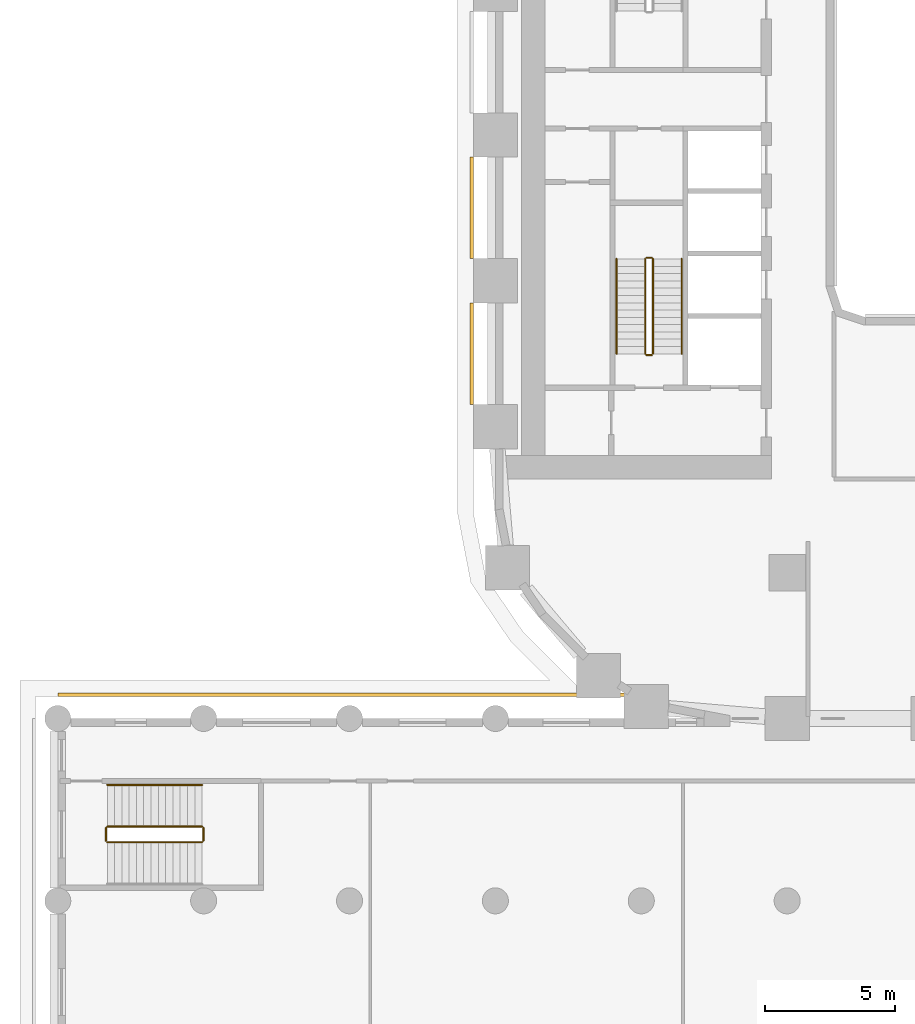
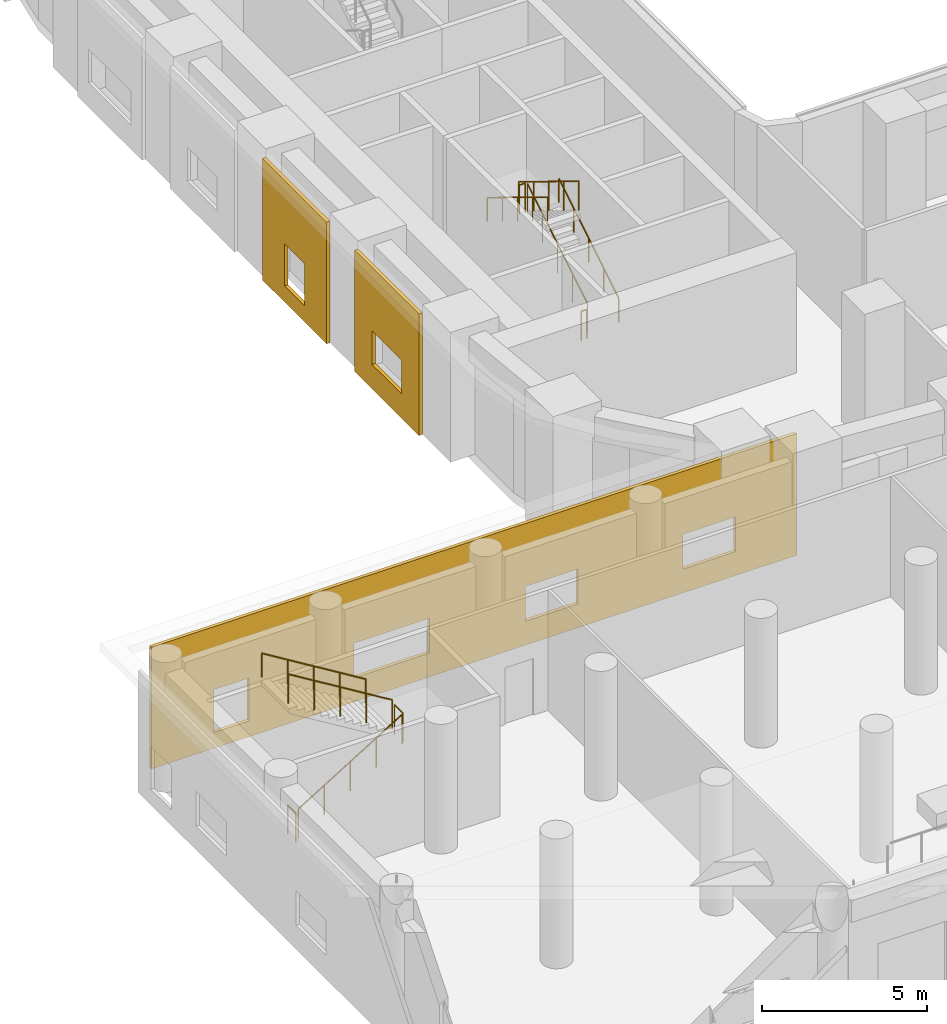
# One storey, part 18 of 23: 11 railings, 3 coverings.
"""IFC4 building model written with IfcOpenShell, lengths in metres."""

from ifc_helpers import new_model, si_unit, direction, frame, origin, origin_2d, place, context, subcontext, project, spatial, polyline, circle, outline, extrude, material, layer, layer_set, type_object, element, save


model = new_model("IFC4")

# Units and contexts
model_context = context("Model", 3, precision=1e-05, world=origin(), true_north=direction((0.0, 1.0)))
body_context = subcontext(model_context, "Body", "Model", "MODEL_VIEW")
ifc_project = project(units=[si_unit("LENGTHUNIT", "METRE"), si_unit("AREAUNIT", "SQUARE_METRE"), si_unit("VOLUMEUNIT", "CUBIC_METRE"), si_unit("PLANEANGLEUNIT", "RADIAN"), si_unit("MASSUNIT", "GRAM", prefix="KILO")], contexts=[model_context])

# Site, building, storey
site_placement = place(None, origin())
site = spatial("IfcSite", under=ifc_project, at=site_placement, CompositionType="ELEMENT")
building_placement = place(site_placement, origin())
building = spatial("IfcBuilding", under=site, at=building_placement, Name="Kiln Ring Residences", CompositionType="ELEMENT")
storey_placement = place(building_placement, frame((0.0, 0.0, 16.10009765625)))
storey = spatial("IfcBuildingStorey", under=building, at=storey_placement, Name="L03", CompositionType="ELEMENT", Elevation=16.10009765625)

# Railings
ifc_material_1 = material(Name="Stainless steel", Category="steel")
railing_type_1 = type_object("IfcRailingType", Name="CORE-STAIR-GUARD", PredefinedType="GUARDRAIL", material=ifc_material_1)
railing_1_placement = place(storey_placement, frame((-21.949951171875, -8.39990234375, 0.17138671875)))
element("IfcRailing", 1, at=railing_1_placement, inside=storey, type_object=railing_type_1, Name="L03 W-STS stair guard 1", PredefinedType="GUARDRAIL", context=body_context, shape_type="SweptSolid", body=[
    extrude(circle(Radius=0.02392578125, at=origin_2d()), frame((0.0, 0.0, 1.076171875), z_axis=(0.0, 0.852850264322, 0.5221555579), x_axis=(-1.0, 0.0, 0.0)), (0.0, 0.0, 1.0), 4.267822265625),
    extrude(circle(Radius=0.02099609375, at=origin_2d()), origin(), (0.0, 0.0, 1.0), 1.052001953125),
    extrude(circle(Radius=0.02099609375, at=origin_2d()), frame((0.0, 0.909912109375, 0.55712890625)), (0.0, 0.0, 1.0), 1.052001953125),
    extrude(circle(Radius=0.02099609375, at=origin_2d()), frame((0.0, 1.81982421875, 1.1142578125)), (0.0, 0.0, 1.0), 1.052001953125),
    extrude(circle(Radius=0.02099609375, at=origin_2d()), frame((0.0, 2.72998046875, 1.67138671875)), (0.0, 0.0, 1.0), 1.052001953125),
    extrude(circle(Radius=0.02099609375, at=origin_2d()), frame((0.0, 3.639892578125, 2.228515625)), (0.0, 0.0, 1.0), 1.052001953125),
])
railing_2_placement = place(storey_placement, frame((-22.0, -4.7099609375, 2.39990234375)))
element("IfcRailing", 2, at=railing_2_placement, inside=storey, type_object=railing_type_1, Name="L03 W-STS stair guard 2", PredefinedType="GUARDRAIL", context=body_context, shape_type="SweptSolid", body=[
    extrude(circle(Radius=0.02392578125, at=origin_2d()), frame((0.0, 0.0, 1.076171875), z_axis=(-1.0, 0.0, 0.0), x_axis=(0.0, -1.0, 0.0)), (0.0, 0.0, 1.0), 0.199951171875),
    extrude(circle(Radius=0.02099609375, at=origin_2d()), origin(), (0.0, 0.0, 1.0), 1.052001953125),
    extrude(circle(Radius=0.02099609375, at=origin_2d()), frame((-0.199951171875, 0.0, 0.0)), (0.0, 0.0, 1.0), 1.052001953125),
])
railing_3_placement = place(storey_placement, frame((-22.25, -4.760009765625, 2.5712890625)))
element("IfcRailing", 3, at=railing_3_placement, inside=storey, type_object=railing_type_1, Name="L03 W-STS stair guard 3", PredefinedType="GUARDRAIL", context=body_context, shape_type="SweptSolid", body=[
    extrude(circle(Radius=0.02392578125, at=origin_2d()), frame((0.0, 0.0, 1.076171875), z_axis=(0.0, -0.852850264322, 0.5221555579), x_axis=(1.0, 0.0, 0.0)), (0.0, 0.0, 1.0), 4.267822265625),
    extrude(circle(Radius=0.02099609375, at=origin_2d()), origin(), (0.0, 0.0, 1.0), 1.052001953125),
    extrude(circle(Radius=0.02099609375, at=origin_2d()), frame((0.0, -0.909912109375, 0.55712890625)), (0.0, 0.0, 1.0), 1.052001953125),
    extrude(circle(Radius=0.02099609375, at=origin_2d()), frame((0.0, -1.81982421875, 1.1142578125)), (0.0, 0.0, 1.0), 1.052001953125),
    extrude(circle(Radius=0.02099609375, at=origin_2d()), frame((0.0, -2.72998046875, 1.67138671875)), (0.0, 0.0, 1.0), 1.052001953125),
    extrude(circle(Radius=0.02099609375, at=origin_2d()), frame((0.0, -3.639892578125, 2.228515625)), (0.0, 0.0, 1.0), 1.052001953125),
])
railing_4_placement = place(storey_placement, frame((-22.0, -8.449951171875, 0.0)))
element("IfcRailing", 4, at=railing_4_placement, inside=storey, type_object=railing_type_1, Name="L03 W-STS stair guard 4", PredefinedType="GUARDRAIL", context=body_context, shape_type="SweptSolid", body=[
    extrude(circle(Radius=0.02392578125, at=origin_2d()), frame((0.0, 0.0, 1.076171875), z_axis=(-1.0, 0.0, 0.0), x_axis=(0.0, -1.0, 0.0)), (0.0, 0.0, 1.0), 0.199951171875),
    extrude(circle(Radius=0.02099609375, at=origin_2d()), origin(), (0.0, 0.0, 1.0), 1.052001953125),
    extrude(circle(Radius=0.02099609375, at=origin_2d()), frame((-0.199951171875, 0.0, 0.0)), (0.0, 0.0, 1.0), 1.052001953125),
])
ifc_material_2 = material(Name="Stainless steel", Category="steel")
railing_type_2 = type_object("IfcRailingType", Name="CORE-STAIR-HANDRAIL", PredefinedType="HANDRAIL", material=ifc_material_2)
railing_5_placement = place(storey_placement, frame((-20.85009765625, -8.39990234375, 0.17138671875)))
element("IfcRailing", 5, at=railing_5_placement, inside=storey, type_object=railing_type_2, Name="L03 W-STS stair handrail 1", PredefinedType="HANDRAIL", context=body_context, shape_type="SweptSolid", body=[
    extrude(circle(Radius=0.02392578125, at=origin_2d()), frame((0.0, 0.0, 0.8759765625), z_axis=(0.0, 0.852850264322, 0.5221555579), x_axis=(-1.0, 0.0, 0.0)), (0.0, 0.0, 1.0), 4.267822265625),
    extrude(circle(Radius=0.02099609375, at=origin_2d()), origin(), (0.0, 0.0, 1.0), 0.851806640625),
    extrude(circle(Radius=0.02099609375, at=origin_2d()), frame((0.0, 0.909912109375, 0.55712890625)), (0.0, 0.0, 1.0), 0.851806640625),
    extrude(circle(Radius=0.02099609375, at=origin_2d()), frame((0.0, 1.81982421875, 1.1142578125)), (0.0, 0.0, 1.0), 0.851806640625),
    extrude(circle(Radius=0.02099609375, at=origin_2d()), frame((0.0, 2.72998046875, 1.67138671875)), (0.0, 0.0, 1.0), 0.851806640625),
    extrude(circle(Radius=0.02099609375, at=origin_2d()), frame((0.0, 3.639892578125, 2.228515625)), (0.0, 0.0, 1.0), 0.851806640625),
])
railing_6_placement = place(storey_placement, frame((-23.35009765625, -4.760009765625, 2.5712890625)))
element("IfcRailing", 6, at=railing_6_placement, inside=storey, type_object=railing_type_2, Name="L03 W-STS stair handrail 2", PredefinedType="HANDRAIL", context=body_context, shape_type="SweptSolid", body=[
    extrude(circle(Radius=0.02392578125, at=origin_2d()), frame((0.0, 0.0, 0.8759765625), z_axis=(0.0, -0.852850264322, 0.5221555579), x_axis=(1.0, 0.0, 0.0)), (0.0, 0.0, 1.0), 4.267822265625),
    extrude(circle(Radius=0.02099609375, at=origin_2d()), origin(), (0.0, 0.0, 1.0), 0.851806640625),
    extrude(circle(Radius=0.02099609375, at=origin_2d()), frame((0.0, -0.909912109375, 0.55712890625)), (0.0, 0.0, 1.0), 0.851806640625),
    extrude(circle(Radius=0.02099609375, at=origin_2d()), frame((0.0, -1.81982421875, 1.1142578125)), (0.0, 0.0, 1.0), 0.851806640625),
    extrude(circle(Radius=0.02099609375, at=origin_2d()), frame((0.0, -2.72998046875, 1.67138671875)), (0.0, 0.0, 1.0), 0.851806640625),
    extrude(circle(Radius=0.02099609375, at=origin_2d()), frame((0.0, -3.639892578125, 2.228515625)), (0.0, 0.0, 1.0), 0.851806640625),
])
ifc_material_3 = material(Name="Stainless steel", Category="steel")
railing_type_3 = type_object("IfcRailingType", Name="PODIUM-STAIR-GUARD", PredefinedType="GUARDRAIL", material=ifc_material_3)
railing_7_placement = place(storey_placement, frame((-42.89990234375, -27.14990234375, 0.17138671875)))
element("IfcRailing", 7, at=railing_7_placement, inside=storey, type_object=railing_type_3, Name="L03 PS-W stair guard 1", PredefinedType="GUARDRAIL", context=body_context, shape_type="SweptSolid", body=[
    extrude(circle(Radius=0.02392578125, at=origin_2d()), frame((0.0, 0.0, 1.076171875), z_axis=(0.852850264322, 0.0, 0.5221555579), x_axis=(0.0, 1.0, 0.0)), (0.0, 0.0, 1.0), 4.267822265625),
    extrude(circle(Radius=0.02099609375, at=origin_2d()), origin(), (0.0, 0.0, 1.0), 1.052001953125),
    extrude(circle(Radius=0.02099609375, at=origin_2d()), frame((0.909912109375, 0.0, 0.55712890625)), (0.0, 0.0, 1.0), 1.052001953125),
    extrude(circle(Radius=0.02099609375, at=origin_2d()), frame((1.81982421875, 0.0, 1.1142578125)), (0.0, 0.0, 1.0), 1.052001953125),
    extrude(circle(Radius=0.02099609375, at=origin_2d()), frame((2.72998046875, 0.0, 1.67138671875)), (0.0, 0.0, 1.0), 1.052001953125),
    extrude(circle(Radius=0.02099609375, at=origin_2d()), frame((3.639892578125, 0.0, 2.228515625)), (0.0, 0.0, 1.0), 1.052001953125),
])
railing_8_placement = place(storey_placement, frame((-39.2099609375, -27.10009765625, 2.39990234375)))
element("IfcRailing", 8, at=railing_8_placement, inside=storey, type_object=railing_type_3, Name="L03 PS-W stair guard 2", PredefinedType="GUARDRAIL", context=body_context, shape_type="SweptSolid", body=[
    extrude(circle(Radius=0.02392578125, at=origin_2d()), frame((0.0, 0.0, 1.076171875), z_axis=(0.0, 1.0, 0.0), x_axis=(-1.0, 0.0, 0.0)), (0.0, 0.0, 1.0), 0.5),
    extrude(circle(Radius=0.02099609375, at=origin_2d()), origin(), (0.0, 0.0, 1.0), 1.052001953125),
    extrude(circle(Radius=0.02099609375, at=origin_2d()), frame((0.0, 0.5, 0.0)), (0.0, 0.0, 1.0), 1.052001953125),
])
railing_9_placement = place(storey_placement, frame((-39.260009765625, -26.550048828125, 2.5712890625)))
element("IfcRailing", 9, at=railing_9_placement, inside=storey, type_object=railing_type_3, Name="L03 PS-W stair guard 3", PredefinedType="GUARDRAIL", context=body_context, shape_type="SweptSolid", body=[
    extrude(circle(Radius=0.02392578125, at=origin_2d()), frame((0.0, 0.0, 1.076171875), z_axis=(-0.852850264322, 0.0, 0.5221555579), x_axis=(0.0, -1.0, 0.0)), (0.0, 0.0, 1.0), 4.267822265625),
    extrude(circle(Radius=0.02099609375, at=origin_2d()), origin(), (0.0, 0.0, 1.0), 1.052001953125),
    extrude(circle(Radius=0.02099609375, at=origin_2d()), frame((-0.909912109375, 0.0, 0.55712890625)), (0.0, 0.0, 1.0), 1.052001953125),
    extrude(circle(Radius=0.02099609375, at=origin_2d()), frame((-1.81982421875, 0.0, 1.1142578125)), (0.0, 0.0, 1.0), 1.052001953125),
    extrude(circle(Radius=0.02099609375, at=origin_2d()), frame((-2.72998046875, 0.0, 1.67138671875)), (0.0, 0.0, 1.0), 1.052001953125),
    extrude(circle(Radius=0.02099609375, at=origin_2d()), frame((-3.639892578125, 0.0, 2.228515625)), (0.0, 0.0, 1.0), 1.052001953125),
])
railing_10_placement = place(storey_placement, frame((-42.949951171875, -27.10009765625, 0.0)))
element("IfcRailing", 10, at=railing_10_placement, inside=storey, type_object=railing_type_3, Name="L03 PS-W stair guard 4", PredefinedType="GUARDRAIL", context=body_context, shape_type="SweptSolid", body=[
    extrude(circle(Radius=0.02392578125, at=origin_2d()), frame((0.0, 0.0, 1.076171875), z_axis=(0.0, 1.0, 0.0), x_axis=(-1.0, 0.0, 0.0)), (0.0, 0.0, 1.0), 0.5),
    extrude(circle(Radius=0.02099609375, at=origin_2d()), origin(), (0.0, 0.0, 1.0), 1.052001953125),
    extrude(circle(Radius=0.02099609375, at=origin_2d()), frame((0.0, 0.5, 0.0)), (0.0, 0.0, 1.0), 1.052001953125),
])
ifc_material_4 = material(Name="Stainless steel", Category="steel")
railing_type_4 = type_object("IfcRailingType", Name="PODIUM-STAIR-HANDRAIL", PredefinedType="HANDRAIL", material=ifc_material_4)
railing_11_placement = place(storey_placement, frame((-39.260009765625, -24.949951171875, 2.5712890625)))
element("IfcRailing", 11, at=railing_11_placement, inside=storey, type_object=railing_type_4, Name="L03 PS-W stair handrail 2", PredefinedType="HANDRAIL", context=body_context, shape_type="SweptSolid", body=[
    extrude(circle(Radius=0.02392578125, at=origin_2d()), frame((0.0, 0.0, 0.8759765625), z_axis=(-0.852850264322, 0.0, 0.5221555579), x_axis=(0.0, -1.0, 0.0)), (0.0, 0.0, 1.0), 4.267822265625),
    extrude(circle(Radius=0.02099609375, at=origin_2d()), origin(), (0.0, 0.0, 1.0), 0.851806640625),
    extrude(circle(Radius=0.02099609375, at=origin_2d()), frame((-0.909912109375, 0.0, 0.55712890625)), (0.0, 0.0, 1.0), 0.851806640625),
    extrude(circle(Radius=0.02099609375, at=origin_2d()), frame((-1.81982421875, 0.0, 1.1142578125)), (0.0, 0.0, 1.0), 0.851806640625),
    extrude(circle(Radius=0.02099609375, at=origin_2d()), frame((-2.72998046875, 0.0, 1.67138671875)), (0.0, 0.0, 1.0), 0.851806640625),
    extrude(circle(Radius=0.02099609375, at=origin_2d()), frame((-3.639892578125, 0.0, 2.228515625)), (0.0, 0.0, 1.0), 0.851806640625),
])

# Coverings
ifc_material_5 = material(Name="Brick masonry, dark clay brick", Category="masonry")
ifc_layer = layer(ifc_material_5, 0.1201171875)
ifc_layer_set = layer_set([ifc_layer], Name="RAINSCREEN PANEL 120")
covering_type = type_object("IfcCoveringType", Name="RAINSCREEN PANEL 120", PredefinedType="CLADDING", material=ifc_layer_set)
covering_1_placement = place(storey_placement, frame((-28.909912109375, -0.85009765625, 0.0), z_axis=(0.0, 0.0, 1.0), x_axis=(0.0, -1.0, 0.0)))
element("IfcCovering", 12, at=covering_1_placement, inside=storey, type_object=covering_type, Name="RAINSCREEN L03", PredefinedType="CLADDING", context=body_context, shape_type="SweptSolid", body=[
    extrude(outline(polyline([(0.0, 0.0), (3.89990234375, 0.0), (3.89990234375, 4.5), (0.0, 4.5), (0.0, 0.0)]), holes=[polyline([(1.35009765625, 2.14990234375), (1.35009765625, 0.599853515625), (2.550048828125, 0.599853515625), (2.550048828125, 2.14990234375), (1.35009765625, 2.14990234375)])]), frame((0.0, 0.06005859375, 0.0), z_axis=(0.0, -1.0, 0.0), x_axis=(1.0, 0.0, 0.0)), (0.0, 0.0, 1.0), 0.1201171875),
])
covering_2_placement = place(storey_placement, frame((-28.909912109375, -6.449951171875, 0.0), z_axis=(0.0, 0.0, 1.0), x_axis=(0.0, -1.0, 0.0)))
element("IfcCovering", 13, at=covering_2_placement, inside=storey, type_object=covering_type, Name="RAINSCREEN L03", PredefinedType="CLADDING", context=body_context, shape_type="SweptSolid", body=[
    extrude(outline(polyline([(0.0, 0.0), (3.89990234375, 0.0), (3.89990234375, 4.5), (0.0, 4.5), (0.0, 0.0)]), holes=[polyline([(1.050048828125, 2.14990234375), (1.050048828125, 0.89990234375), (2.85009765625, 0.89990234375), (2.85009765625, 2.14990234375), (1.050048828125, 2.14990234375)])]), frame((0.0, 0.06005859375, 0.0), z_axis=(0.0, -1.0, 0.0), x_axis=(1.0, 0.0, 0.0)), (0.0, 0.0, 1.0), 0.1201171875),
])
covering_3_placement = place(storey_placement, frame((-22.208740234375, -21.489990234375, 0.0), z_axis=(0.0, 0.0, 1.0), x_axis=(-1.0, 0.0, 0.0)))
element("IfcCovering", 14, at=covering_3_placement, inside=storey, type_object=covering_type, Name="RAINSCREEN L03", PredefinedType="CLADDING", context=body_context, shape_type="SweptSolid", body=[
    extrude(outline(polyline([(0.0, 0.0), (22.59130859375, 0.0), (22.59130859375, 4.5), (0.0, 4.5), (0.0, 0.0)]), holes=[polyline([(20.411376953125, 0.579833984375), (20.411376953125, 2.169921875), (19.17138671875, 2.169921875), (19.17138671875, 0.579833984375), (20.411376953125, 0.579833984375)]), polyline([(3.990478515625, 0.8798828125), (3.990478515625, 2.169921875), (2.150634765625, 2.169921875), (2.150634765625, 0.8798828125), (3.990478515625, 0.8798828125)]), polyline([(9.51123046875, 0.8798828125), (9.51123046875, 2.169921875), (7.67138671875, 2.169921875), (7.67138671875, 0.8798828125), (9.51123046875, 0.8798828125)]), polyline([(15.51123046875, 0.8798828125), (15.51123046875, 2.169921875), (12.871337890625, 2.169921875), (12.871337890625, 0.8798828125), (15.51123046875, 0.8798828125)])]), frame((0.0, 0.06005859375, 0.0), z_axis=(0.0, -1.0, 0.0), x_axis=(1.0, 0.0, 0.0)), (0.0, 0.0, 1.0), 0.1201171875),
])

save(model, "model.ifc")
